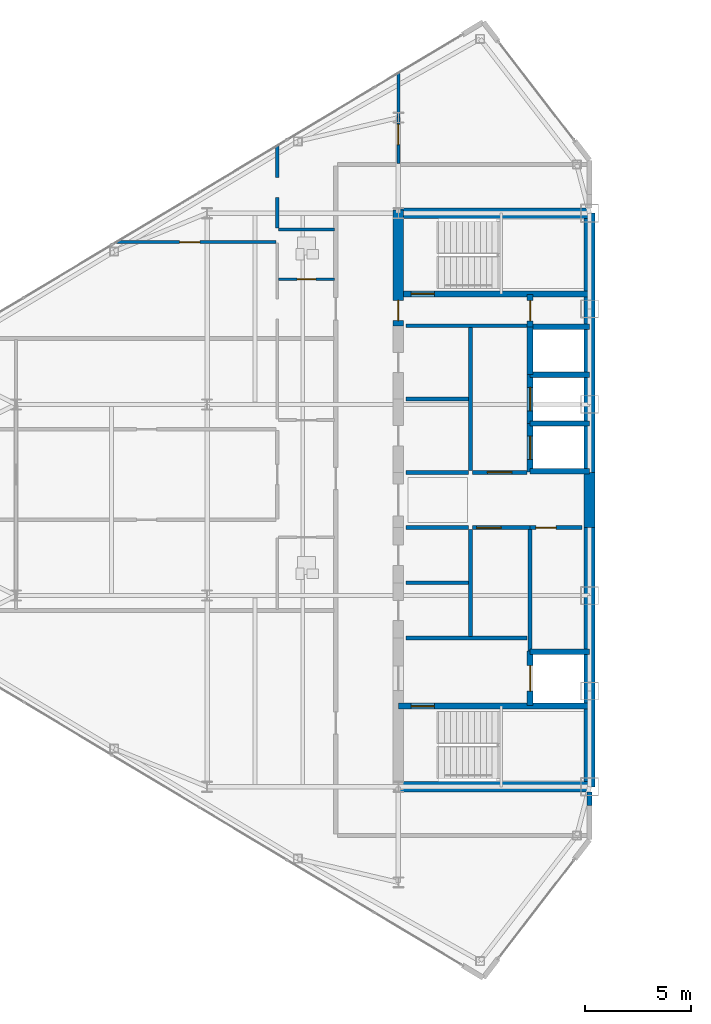
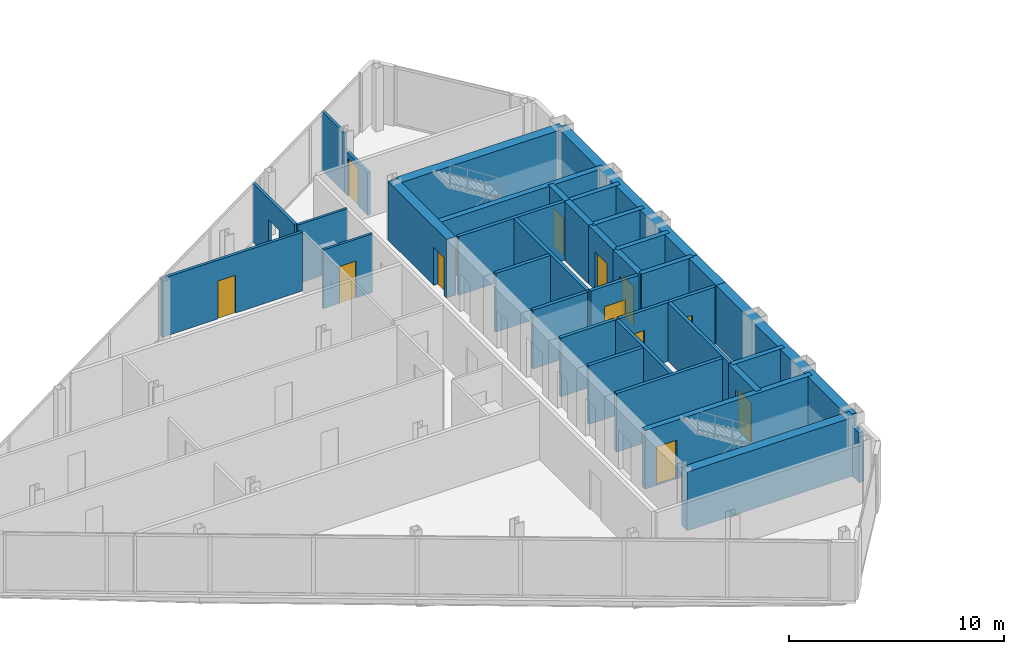
# One storey, part 20 of 26: 37 walls, 13 doors, 14 openings.
"""IFC4 building model written with IfcOpenShell, lengths in metres."""

from ifc_helpers import new_model, si_unit, direction, frame, frame_2d, origin, place, context, subcontext, project, spatial, rectangle, extrude, source, transform, mapped, material, layer, layer_set, type_object, type_shapes, element, fill, save


model = new_model("IFC4")

# Units and contexts
model_context = context("Model", 3, precision=1e-05, world=origin(), true_north=direction((0.0, 1.0)))
body_context = subcontext(model_context, "Body", "Model", "MODEL_VIEW")
ifc_project = project(units=[si_unit("LENGTHUNIT", "METRE"), si_unit("AREAUNIT", "SQUARE_METRE"), si_unit("VOLUMEUNIT", "CUBIC_METRE"), si_unit("PLANEANGLEUNIT", "RADIAN"), si_unit("MASSUNIT", "GRAM", prefix="KILO")], contexts=[model_context])

# Site, building, storey
site_placement = place(None, origin())
site = spatial("IfcSite", under=ifc_project, at=site_placement, CompositionType="ELEMENT")
building_placement = place(site_placement, origin())
building = spatial("IfcBuilding", under=site, at=building_placement, Name="Seokmaru Belvedere", CompositionType="ELEMENT")
storey_placement = place(building_placement, frame((0.0, 0.0, 221.10009765625)))
storey = spatial("IfcBuildingStorey", under=building, at=storey_placement, Name="L59", CompositionType="ELEMENT", Elevation=221.10009765625)

# Wall, opening, door
ifc_material_1 = material(Name="Fire-Rated Gypsum Shaftwall")
ifc_layer_1 = layer(ifc_material_1, 0.14990234375)
ifc_layer_set_1 = layer_set([ifc_layer_1], Name="Fire-Rated Gypsum Shaftwall")
wall_type_1 = type_object("IfcWallType", Name="Apartment Fire-Acoustic Room Partition 150", PredefinedType="PARTITIONING", material=ifc_layer_set_1)
wall_1_placement = place(storey_placement, frame((-49.802001953125, 12.139892578125, 0.0), z_axis=(0.0, 0.0, 1.0), x_axis=(1.0, 0.0, 0.0)))
wall_1 = element("IfcWall", 1, at=wall_1_placement, inside=storey, type_object=wall_type_1, Name="L59 Interior Partition 016", PredefinedType="PARTITIONING", context=body_context, shape_type="SweptSolid", body=[
    extrude(rectangle(XDim=7.552001953125, YDim=0.14990234375, at=frame_2d((3.77587890625, 0.0))), origin(), (0.0, 0.0, 1.0), 3.33984375),
])
opening_1_placement = place(wall_1_placement, frame((3.001953125, 0.0, 0.0)))
opening_1 = element("IfcOpeningElement", 2, at=opening_1_placement, cuts=wall_1, Name="Opening D05", PredefinedType="OPENING", context=body_context, shape_type="SweptSolid", body=[
    extrude(rectangle(XDim=0.949951171875, YDim=2.14990234375, at=frame_2d((0.47509765625, 1.074951171875))), frame((0.0, 0.0849609375, 0.0), z_axis=(0.0, -1.0, 0.0), x_axis=(1.0, 0.0, 0.0)), (0.0, 0.0, 1.0), 0.169921875),
])
ifc_material_2 = material(Name="Engineered White Oak Timber", Category="wood")
door_type_1 = type_object("IfcDoorType", Name="Apartment Interior Fire-Rated Oak Door 950x2150", OperationType="NOTDEFINED", PredefinedType="DOOR", material=ifc_material_2)
shared_shape_1 = source(origin(), body_context, "Body", "SweptSolid", [
    extrude(rectangle(XDim=0.949951171875, YDim=2.14990234375, at=frame_2d((0.47509765625, 1.074951171875))), frame((0.0, 0.02490234375, 0.0), z_axis=(0.0, -1.0, 0.0), x_axis=(1.0, 0.0, 0.0)), (0.0, 0.0, 1.0), 0.050048828125),
])
type_shapes(door_type_1, [shared_shape_1])
door_1_placement = place(opening_1_placement, origin())
door_1 = element("IfcDoor", 3, at=door_1_placement, inside=storey, type_object=door_type_1, Name="L59 Interior Door 014", OperationType="SINGLE_SWING_RIGHT", OverallHeight=2.14990234375, OverallWidth=0.949951171875, PredefinedType="DOOR", context=body_context, shape_type="MappedRepresentation", body=[
    mapped(shared_shape_1, transform((0.0, 0.0, 0.0), scale=1.0)),
])
fill(opening_1, door_1)

# Wall, opening
wall_2_placement = place(storey_placement, frame((-42.199951171875, 12.794921875, 0.0), z_axis=(0.0, 0.0, 1.0), x_axis=(0.0, 1.0, 0.0)))
wall_2 = element("IfcWall", 4, at=wall_2_placement, inside=storey, type_object=wall_type_1, Name="L59 Interior Partition 024", PredefinedType="PARTITIONING", context=body_context, shape_type="SweptSolid", body=[
    extrude(rectangle(XDim=3.920166015625, YDim=0.14990234375, at=frame_2d((1.9599609375, 0.0))), origin(), (0.0, 0.0, 1.0), 3.33984375),
])
opening_2_placement = place(wall_2_placement, frame((1.4423828125, 0.0, 0.0)))
element("IfcOpeningElement", 5, at=opening_2_placement, cuts=wall_2, Name="L59 Cased Opening 015", PredefinedType="OPENING", context=body_context, shape_type="SweptSolid", body=[
    extrude(rectangle(XDim=0.949951171875, YDim=2.14990234375, at=frame_2d((0.47509765625, 1.074951171875))), frame((0.0, 0.0849609375, 0.0), z_axis=(0.0, -1.0, 0.0), x_axis=(1.0, 0.0, 0.0)), (0.0, 0.0, 1.0), 0.169921875),
])

# Wall, opening, door
wall_3_placement = place(storey_placement, frame((-36.5, 15.85009765625, 0.0), z_axis=(0.0, 0.0, 1.0), x_axis=(0.0, 1.0, 0.0)))
wall_3 = element("IfcWall", 6, at=wall_3_placement, inside=storey, type_object=wall_type_1, Name="L59 Interior Partition 026", PredefinedType="PARTITIONING", context=body_context, shape_type="SweptSolid", body=[
    extrude(rectangle(XDim=2.169921875, YDim=0.14990234375, at=frame_2d((1.0849609375, 0.0))), origin(), (0.0, 0.0, 1.0), 2.43994140625),
])
opening_3_placement = place(wall_3_placement, frame((0.8779296875, 0.0, 0.0)))
opening_3 = element("IfcOpeningElement", 7, at=opening_3_placement, cuts=wall_3, Name="Opening D05", PredefinedType="OPENING", context=body_context, shape_type="SweptSolid", body=[
    extrude(rectangle(XDim=0.949951171875, YDim=2.14990234375, at=frame_2d((0.47509765625, 1.074951171875))), frame((0.0, 0.0849609375, 0.0), z_axis=(0.0, -1.0, 0.0), x_axis=(1.0, 0.0, 0.0)), (0.0, 0.0, 1.0), 0.169921875),
])
door_2_placement = place(opening_3_placement, origin())
door_2 = element("IfcDoor", 8, at=door_2_placement, inside=storey, type_object=door_type_1, Name="L59 Interior Door 016", OperationType="SINGLE_SWING_RIGHT", OverallHeight=2.14990234375, OverallWidth=0.949951171875, PredefinedType="DOOR", context=body_context, shape_type="MappedRepresentation", body=[
    mapped(shared_shape_1, transform((0.0, 0.0, 0.0), scale=1.0)),
])
fill(opening_3, door_2)

# Walls
wall_4_placement = place(storey_placement, frame((-36.5, 18.02001953125, 0.0), z_axis=(0.0, 0.0, 1.0), x_axis=(0.0, 1.0, 0.0)))
element("IfcWall", 9, at=wall_4_placement, inside=storey, type_object=wall_type_1, Name="L59 Interior Partition 026 Part 2", PredefinedType="PARTITIONING", context=body_context, shape_type="SweptSolid", body=[
    extrude(rectangle(XDim=2.114990234375, YDim=0.14990234375, at=frame_2d((1.0576171875, 0.0))), origin(), (0.0, 0.0, 1.0), 3.33984375),
])
ifc_layer_2 = layer(ifc_material_1, 0.179931640625)
ifc_layer_set_2 = layer_set([ifc_layer_2], Name="Fire-Rated Gypsum Shaftwall")
wall_type_2 = type_object("IfcWallType", Name="Core Service Fire Partition 180", PredefinedType="PARTITIONING", material=ifc_layer_set_2)
for number, where, z_axis, x_axis, name in (
    (10, (-36.14990234375, -6.5, 0.0), (0.0, 0.0, 1.0), (1.0, 0.0, 0.0), "L59 West Firefighting Lobby Partition"),
    (11, (-36.14990234375, 8.199951171875, 0.0), (0.0, 0.0, 1.0), (1.0, 0.0, 0.0), "L59 West Smokeproof Vestibule Partition"),
):
    element("IfcWall", number, at=place(storey_placement, frame(where, z_axis=z_axis, x_axis=x_axis)), inside=storey, type_object=wall_type_2, Name=name, PredefinedType="PARTITIONING", context=body_context, shape_type="SweptSolid", body=[
        extrude(rectangle(XDim=5.699951171875, YDim=0.179931640625, at=frame_2d((2.85009765625, 0.0))), origin(), (0.0, 0.0, 1.0), 3.33984375),
    ])
wall_5_placement = place(storey_placement, frame((-33.10009765625, -6.419921875, 0.0), z_axis=(0.0, 0.0, 1.0), x_axis=(0.0, 1.0, 0.0)))
element("IfcWall", 12, at=wall_5_placement, inside=storey, type_object=wall_type_2, Name="L59 West South Core Service Back Wall", PredefinedType="PARTITIONING", context=body_context, shape_type="SweptSolid", body=[
    extrude(rectangle(XDim=5.0400390625, YDim=0.179931640625, at=frame_2d((2.52001953125, 0.0))), origin(), (0.0, 0.0, 1.0), 3.33984375),
])
wall_6_placement = place(storey_placement, frame((-33.10009765625, 1.3798828125, 0.0), z_axis=(0.0, 0.0, 1.0), x_axis=(0.0, 1.0, 0.0)))
element("IfcWall", 13, at=wall_6_placement, inside=storey, type_object=wall_type_2, Name="L59 West North Core Service Back Wall", PredefinedType="PARTITIONING", context=body_context, shape_type="SweptSolid", body=[
    extrude(rectangle(XDim=6.740234375, YDim=0.179931640625, at=frame_2d((3.3701171875, 0.0))), origin(), (0.0, 0.0, 1.0), 3.33984375),
])

# Wall, opening, door
wall_7_placement = place(storey_placement, frame((-30.300048828125, -1.300048828125, 0.0), z_axis=(0.0, 0.0, 1.0), x_axis=(1.0, 0.0, 0.0)))
wall_7 = element("IfcWall", 14, at=wall_7_placement, inside=storey, type_object=wall_type_2, Name="L59 West South Parcel Vault Foyer Wall", PredefinedType="PARTITIONING", context=body_context, shape_type="SweptSolid", body=[
    extrude(rectangle(XDim=2.449951171875, YDim=0.179931640625, at=frame_2d((1.22509765625, 0.0))), origin(), (0.0, 0.0, 1.0), 3.33984375),
])
opening_4_placement = place(wall_7_placement, frame((0.27490234375, 0.0, 0.0)))
opening_4 = element("IfcOpeningElement", 15, at=opening_4_placement, cuts=wall_7, Name="Opening D04", PredefinedType="OPENING", context=body_context, shape_type="SweptSolid", body=[
    extrude(rectangle(XDim=0.949951171875, YDim=2.14990234375, at=frame_2d((0.47509765625, 1.074951171875))), frame((0.0, 0.10009765625, 0.0), z_axis=(0.0, -1.0, 0.0), x_axis=(1.0, 0.0, 0.0)), (0.0, 0.0, 1.0), 0.199951171875),
])
ifc_material_3 = material(Name="Fire-Rated Steel Leaf", Category="steel")
door_type_2 = type_object("IfcDoorType", Name="Core Service Room Fire Door 950x2150", OperationType="NOTDEFINED", PredefinedType="DOOR", material=ifc_material_3)
shared_shape_2 = source(origin(), body_context, "Body", "SweptSolid", [
    extrude(rectangle(XDim=0.949951171875, YDim=2.14990234375, at=frame_2d((0.47509765625, 1.074951171875))), frame((0.0, 0.02490234375, 0.0), z_axis=(0.0, -1.0, 0.0), x_axis=(1.0, 0.0, 0.0)), (0.0, 0.0, 1.0), 0.050048828125),
])
type_shapes(door_type_2, [shared_shape_2])
door_3_placement = place(opening_4_placement, origin())
door_3 = element("IfcDoor", 16, at=door_3_placement, inside=storey, type_object=door_type_2, Name="L59 West South Parcel Vault Door", OperationType="SINGLE_SWING_LEFT", OverallHeight=2.14990234375, OverallWidth=0.949951171875, PredefinedType="DOOR", context=body_context, shape_type="MappedRepresentation", body=[
    mapped(shared_shape_2, transform((0.0, 0.0, 0.0), scale=1.0)),
])
fill(opening_4, door_3)

wall_8_placement = place(storey_placement, frame((-33.02001953125, -1.300048828125, 0.0), z_axis=(0.0, 0.0, 1.0), x_axis=(1.0, 0.0, 0.0)))
wall_8 = element("IfcWall", 17, at=wall_8_placement, inside=storey, type_object=wall_type_2, Name="L59 West South Wine Cellar Foyer Wall", PredefinedType="PARTITIONING", context=body_context, shape_type="SweptSolid", body=[
    extrude(rectangle(XDim=2.719970703125, YDim=0.179931640625, at=frame_2d((1.35986328125, 0.0))), origin(), (0.0, 0.0, 1.0), 3.33984375),
])
opening_5_placement = place(wall_8_placement, frame((0.2099609375, 0.0, 0.0)))
opening_5 = element("IfcOpeningElement", 18, at=opening_5_placement, cuts=wall_8, Name="Opening D02", PredefinedType="OPENING", context=body_context, shape_type="SweptSolid", body=[
    extrude(rectangle(XDim=1.14990234375, YDim=2.199951171875, at=frame_2d((0.574951171875, 1.10009765625))), frame((0.0, 0.10009765625, 0.0), z_axis=(0.0, -1.0, 0.0), x_axis=(1.0, 0.0, 0.0)), (0.0, 0.0, 1.0), 0.199951171875),
])
door_type_3 = type_object("IfcDoorType", Name="Lobby and Vestibule Fire Door 1150x2200", OperationType="NOTDEFINED", PredefinedType="DOOR", material=ifc_material_3)
shared_shape_3 = source(origin(), body_context, "Body", "SweptSolid", [
    extrude(rectangle(XDim=1.14990234375, YDim=2.199951171875, at=frame_2d((0.574951171875, 1.10009765625))), frame((0.0, 0.02490234375, 0.0), z_axis=(0.0, -1.0, 0.0), x_axis=(1.0, 0.0, 0.0)), (0.0, 0.0, 1.0), 0.050048828125),
])
type_shapes(door_type_3, [shared_shape_3])
door_4_placement = place(opening_5_placement, origin())
door_4 = element("IfcDoor", 19, at=door_4_placement, inside=storey, type_object=door_type_3, Name="L59 West South Core Foyer Door", OperationType="SINGLE_SWING_LEFT", OverallHeight=2.199951171875, OverallWidth=1.14990234375, PredefinedType="DOOR", context=body_context, shape_type="MappedRepresentation", body=[
    mapped(shared_shape_3, transform((0.0, 0.0, 0.0), scale=1.0)),
])
fill(opening_5, door_4)

# Wall
wall_9_placement = place(storey_placement, frame((-30.300048828125, -7.1201171875, 0.0), z_axis=(0.0, 0.0, 1.0), x_axis=(0.0, 1.0, 0.0)))
element("IfcWall", 20, at=wall_9_placement, inside=storey, type_object=wall_type_2, Name="L59 West Freed Shaft Vault Partition", PredefinedType="PARTITIONING", context=body_context, shape_type="SweptSolid", body=[
    extrude(rectangle(XDim=5.740234375, YDim=0.179931640625, at=frame_2d((2.8701171875, 0.0))), origin(), (0.0, 0.0, 1.0), 3.33984375),
])

# Wall, opening, door
wall_10_placement = place(storey_placement, frame((-33.02001953125, 1.300048828125, 0.0), z_axis=(0.0, 0.0, 1.0), x_axis=(1.0, 0.0, 0.0)))
wall_10 = element("IfcWall", 21, at=wall_10_placement, inside=storey, type_object=wall_type_2, Name="L59 West North Lift Lobby Foyer Wall", PredefinedType="PARTITIONING", context=body_context, shape_type="SweptSolid", body=[
    extrude(rectangle(XDim=2.570068359375, YDim=0.179931640625, at=frame_2d((1.28515625, 0.0))), origin(), (0.0, 0.0, 1.0), 3.33984375),
])
opening_6_placement = place(wall_10_placement, frame((0.7099609375, 0.0, 0.0)))
opening_6 = element("IfcOpeningElement", 22, at=opening_6_placement, cuts=wall_10, Name="Opening D02", PredefinedType="OPENING", context=body_context, shape_type="SweptSolid", body=[
    extrude(rectangle(XDim=1.14990234375, YDim=2.199951171875, at=frame_2d((0.574951171875, 1.10009765625))), frame((0.0, 0.10009765625, 0.0), z_axis=(0.0, -1.0, 0.0), x_axis=(1.0, 0.0, 0.0)), (0.0, 0.0, 1.0), 0.199951171875),
])
door_5_placement = place(opening_6_placement, origin())
door_5 = element("IfcDoor", 23, at=door_5_placement, inside=storey, type_object=door_type_3, Name="L59 West North Lift Lobby Door", OperationType="SINGLE_SWING_RIGHT", OverallHeight=2.199951171875, OverallWidth=1.14990234375, PredefinedType="DOOR", context=body_context, shape_type="MappedRepresentation", body=[
    mapped(shared_shape_3, transform((0.0, 0.0, 0.0), scale=1.0)),
])
fill(opening_6, door_5)

# Walls
for number, where, z_axis, x_axis, name in (
    (24, (-36.14990234375, -1.300048828125, 0.0), (0.0, 0.0, 1.0), (1.0, 0.0, 0.0), "L59 West Foyer Side Wall S"),
    (25, (-36.14990234375, 1.300048828125, 0.0), (0.0, 0.0, 1.0), (1.0, 0.0, 0.0), "L59 West Foyer Side Wall N"),
    (26, (-36.14990234375, -3.89990234375, 0.0), (0.0, 0.0, 1.0), (1.0, 0.0, 0.0), "L59 West Core Service Partition 1"),
    (27, (-36.14990234375, 4.75, 0.0), (0.0, 0.0, 1.0), (1.0, 0.0, 0.0), "L59 West Core Service Partition 2"),
):
    element("IfcWall", number, at=place(storey_placement, frame(where, z_axis=z_axis, x_axis=x_axis)), inside=storey, type_object=wall_type_2, Name=name, PredefinedType="PARTITIONING", context=body_context, shape_type="SweptSolid", body=[
        extrude(rectangle(XDim=2.949951171875, YDim=0.179931640625, at=frame_2d((1.47509765625, 0.0))), origin(), (0.0, 0.0, 1.0), 3.33984375),
    ])
ifc_material_4 = material(Name="Concrete C50 (50 MPa)", Category="concrete")
ifc_layer_3 = layer(ifc_material_4, 0.25)
ifc_layer_set_3 = layer_set([ifc_layer_3], Name="Concrete C50 (50 MPa)")
wall_type_3 = type_object("IfcWallType", Name="Hoistway Transverse Concrete Divider Wall 250", PredefinedType="SHEAR", material=ifc_layer_set_3)
for number, where, z_axis, x_axis, name in (
    (28, (-30.300048828125, -7.14990234375, 0.0), (0.0, 0.0, 1.0), (1.0, 0.0, 0.0), "L59 West Hoistway Divider Core Wall 1"),
    (29, (-30.300048828125, 1.35009765625, 0.0), (0.0, 0.0, 1.0), (1.0, 0.0, 0.0), "L59 West Hoistway Divider Core Wall 2"),
    (30, (-30.300048828125, 3.60009765625, 0.0), (0.0, 0.0, 1.0), (1.0, 0.0, 0.0), "L59 West Hoistway Divider Core Wall 3"),
    (31, (-30.300048828125, 5.89990234375, 0.0), (0.0, 0.0, 1.0), (1.0, 0.0, 0.0), "L59 West Hoistway Divider Core Wall 4"),
    (32, (-30.300048828125, 8.14990234375, 0.0), (0.0, 0.0, 1.0), (1.0, 0.0, 0.0), "L59 West Hoistway Divider Core Wall 5"),
):
    element("IfcWall", number, at=place(storey_placement, frame(where, z_axis=z_axis, x_axis=x_axis)), inside=storey, type_object=wall_type_3, Name=name, PredefinedType="SHEAR", context=body_context, shape_type="SweptSolid", body=[
        extrude(rectangle(XDim=2.800048828125, YDim=0.25, at=frame_2d((1.39990234375, 0.0))), origin(), (0.0, 0.0, 1.0), 3.33984375),
    ])

# Wall, opening, door
ifc_layer_4 = layer(ifc_material_4, 0.300048828125)
ifc_layer_set_4 = layer_set([ifc_layer_4], Name="Concrete C50 (50 MPa)")
wall_type_4 = type_object("IfcWallType", Name="Internal Core Stair and Hoistway Wall 300", PredefinedType="SHEAR", material=ifc_layer_set_4)
wall_11_placement = place(storey_placement, frame((-36.5, -9.699951171875, 0.0), z_axis=(0.0, 0.0, 1.0), x_axis=(1.0, 0.0, 0.0)))
wall_11 = element("IfcWall", 33, at=wall_11_placement, inside=storey, type_object=wall_type_4, Name="L59 West Stair ST-1 Enclosure Wall", PredefinedType="SHEAR", context=body_context, shape_type="SweptSolid", body=[
    extrude(rectangle(XDim=9.0, YDim=0.300048828125, at=frame_2d((4.5, 0.0))), origin(), (0.0, 0.0, 1.0), 3.33984375),
])
opening_7_placement = place(wall_11_placement, frame((0.60009765625, 0.0, 0.0)))
opening_7 = element("IfcOpeningElement", 34, at=opening_7_placement, cuts=wall_11, Name="Opening D01", PredefinedType="OPENING", context=body_context, shape_type="SweptSolid", body=[
    extrude(rectangle(XDim=1.10009765625, YDim=2.199951171875, at=frame_2d((0.550048828125, 1.10009765625))), frame((0.0, 0.16015625, 0.0), z_axis=(0.0, -1.0, 0.0), x_axis=(1.0, 0.0, 0.0)), (0.0, 0.0, 1.0), 0.320068359375),
])
door_type_4 = type_object("IfcDoorType", Name="Special Escape Stair Smokeproof Fire Door 1100x2200", OperationType="NOTDEFINED", PredefinedType="DOOR", material=ifc_material_3)
shared_shape_4 = source(origin(), body_context, "Body", "SweptSolid", [
    extrude(rectangle(XDim=1.10009765625, YDim=2.199951171875, at=frame_2d((0.550048828125, 1.10009765625))), frame((0.0, 0.02490234375, 0.0), z_axis=(0.0, -1.0, 0.0), x_axis=(1.0, 0.0, 0.0)), (0.0, 0.0, 1.0), 0.050048828125),
])
type_shapes(door_type_4, [shared_shape_4])
door_6_placement = place(opening_7_placement, frame((1.10009765625, 0.0, 0.0), z_axis=(0.0, 0.0, 1.0), x_axis=(-1.0, 0.0, 0.0)))
door_6 = element("IfcDoor", 35, at=door_6_placement, inside=storey, type_object=door_type_4, Name="L59 West Special Escape Stair ST-1 Door", OperationType="SINGLE_SWING_LEFT", OverallHeight=2.199951171875, OverallWidth=1.10009765625, PredefinedType="DOOR", context=body_context, shape_type="MappedRepresentation", body=[
    mapped(shared_shape_4, transform((0.0, 0.0, 0.0), scale=1.0)),
])
fill(opening_7, door_6)

wall_12_placement = place(storey_placement, frame((-36.5, 9.699951171875, 0.0), z_axis=(0.0, 0.0, 1.0), x_axis=(1.0, 0.0, 0.0)))
wall_12 = element("IfcWall", 36, at=wall_12_placement, inside=storey, type_object=wall_type_4, Name="L59 West Stair ST-2 Enclosure Wall", PredefinedType="SHEAR", context=body_context, shape_type="SweptSolid", body=[
    extrude(rectangle(XDim=9.0, YDim=0.300048828125, at=frame_2d((4.5, 0.0))), origin(), (0.0, 0.0, 1.0), 3.33984375),
])
opening_8_placement = place(wall_12_placement, frame((0.60009765625, 0.0, 0.0)))
opening_8 = element("IfcOpeningElement", 37, at=opening_8_placement, cuts=wall_12, Name="Opening D01", PredefinedType="OPENING", context=body_context, shape_type="SweptSolid", body=[
    extrude(rectangle(XDim=1.10009765625, YDim=2.199951171875, at=frame_2d((0.550048828125, 1.10009765625))), frame((0.0, 0.16015625, 0.0), z_axis=(0.0, -1.0, 0.0), x_axis=(1.0, 0.0, 0.0)), (0.0, 0.0, 1.0), 0.320068359375),
])
door_7_placement = place(opening_8_placement, origin())
door_7 = element("IfcDoor", 38, at=door_7_placement, inside=storey, type_object=door_type_4, Name="L59 West Special Escape Stair ST-2 Door", OperationType="SINGLE_SWING_RIGHT", OverallHeight=2.199951171875, OverallWidth=1.10009765625, PredefinedType="DOOR", context=body_context, shape_type="MappedRepresentation", body=[
    mapped(shared_shape_4, transform((0.0, 0.0, 0.0), scale=1.0)),
])
fill(opening_8, door_7)

wall_13_placement = place(storey_placement, frame((-30.300048828125, -9.679931640625, 0.0), z_axis=(0.0, 0.0, 1.0), x_axis=(0.0, 1.0, 0.0)))
wall_13 = element("IfcWall", 39, at=wall_13_placement, inside=storey, type_object=wall_type_4, Name="L59 West Firefighting Lift Shaft Front Wall", PredefinedType="SHEAR", context=body_context, shape_type="SweptSolid", body=[
    extrude(rectangle(XDim=2.559814453125, YDim=0.300048828125, at=frame_2d((1.27978515625, 0.0))), origin(), (0.0, 0.0, 1.0), 3.33984375),
])
opening_9_placement = place(wall_13_placement, frame((0.679931640625, 0.0, 0.0)))
opening_9 = element("IfcOpeningElement", 40, at=opening_9_placement, cuts=wall_13, Name="Opening LD2", PredefinedType="OPENING", context=body_context, shape_type="SweptSolid", body=[
    extrude(rectangle(XDim=1.199951171875, YDim=2.25, at=frame_2d((0.60009765625, 1.125))), frame((0.0, 0.16015625, 0.0), z_axis=(0.0, -1.0, 0.0), x_axis=(1.0, 0.0, 0.0)), (0.0, 0.0, 1.0), 0.320068359375),
])
ifc_material_5 = material(Name="Stainless Steel 316", Category="steel")
door_type_5 = type_object("IfcDoorType", Name="Firefighting Lift Sliding Landing Door 1200x2250", OperationType="DOUBLE_DOOR_SLIDING", PredefinedType="DOOR", material=ifc_material_5)
shared_shape_5 = source(origin(), body_context, "Body", "SweptSolid", [
    extrude(rectangle(XDim=1.199951171875, YDim=2.25, at=frame_2d((0.60009765625, 1.125))), frame((0.0, 0.02490234375, 0.0), z_axis=(0.0, -1.0, 0.0), x_axis=(1.0, 0.0, 0.0)), (0.0, 0.0, 1.0), 0.050048828125),
])
type_shapes(door_type_5, [shared_shape_5])
door_8_placement = place(opening_9_placement, origin())
door_8 = element("IfcDoor", 41, at=door_8_placement, inside=storey, type_object=door_type_5, Name="L59 West Firefighting Lift Landing Door", OperationType="DOUBLE_DOOR_SLIDING", OverallHeight=2.25, OverallWidth=1.199951171875, PredefinedType="DOOR", context=body_context, shape_type="MappedRepresentation", body=[
    mapped(shared_shape_5, transform((0.0, 0.0, 0.0), scale=1.0)),
])
fill(opening_9, door_8)

wall_14_placement = place(storey_placement, frame((-30.300048828125, 1.320068359375, 0.0), z_axis=(0.0, 0.0, 1.0), x_axis=(0.0, 1.0, 0.0)))
wall_14 = element("IfcWall", 42, at=wall_14_placement, inside=storey, type_object=wall_type_4, Name="L59 West North Hoistway Wall PH1", PredefinedType="SHEAR", context=body_context, shape_type="SweptSolid", body=[
    extrude(rectangle(XDim=2.280029296875, YDim=0.300048828125, at=frame_2d((1.14013671875, 0.0))), origin(), (0.0, 0.0, 1.0), 3.33984375),
])
opening_10_placement = place(wall_14_placement, frame((0.590087890625, 0.0, 0.0)))
opening_10 = element("IfcOpeningElement", 43, at=opening_10_placement, cuts=wall_14, Name="Opening LD1", PredefinedType="OPENING", context=body_context, shape_type="SweptSolid", body=[
    extrude(rectangle(XDim=1.10009765625, YDim=2.199951171875, at=frame_2d((0.550048828125, 1.10009765625))), frame((0.0, 0.16015625, 0.0), z_axis=(0.0, -1.0, 0.0), x_axis=(1.0, 0.0, 0.0)), (0.0, 0.0, 1.0), 0.320068359375),
])
door_type_6 = type_object("IfcDoorType", Name="Passenger Lift Sliding Landing Door 1100x2200", OperationType="DOUBLE_DOOR_SLIDING", PredefinedType="DOOR", material=ifc_material_5)
shared_shape_6 = source(origin(), body_context, "Body", "SweptSolid", [
    extrude(rectangle(XDim=1.10009765625, YDim=2.199951171875, at=frame_2d((0.550048828125, 1.10009765625))), frame((0.0, 0.02490234375, 0.0), z_axis=(0.0, -1.0, 0.0), x_axis=(1.0, 0.0, 0.0)), (0.0, 0.0, 1.0), 0.050048828125),
])
type_shapes(door_type_6, [shared_shape_6])
door_9_placement = place(opening_10_placement, origin())
door_9 = element("IfcDoor", 44, at=door_9_placement, inside=storey, type_object=door_type_6, Name="L59 West High-Rise Lift PH-1 Landing Door", OperationType="DOUBLE_DOOR_SLIDING", OverallHeight=2.199951171875, OverallWidth=1.10009765625, PredefinedType="DOOR", context=body_context, shape_type="MappedRepresentation", body=[
    mapped(shared_shape_6, transform((0.0, 0.0, 0.0), scale=1.0)),
])
fill(opening_10, door_9)

wall_15_placement = place(storey_placement, frame((-30.300048828125, 3.60009765625, 0.0), z_axis=(0.0, 0.0, 1.0), x_axis=(0.0, 1.0, 0.0)))
wall_15 = element("IfcWall", 45, at=wall_15_placement, inside=storey, type_object=wall_type_4, Name="L59 West North Hoistway Wall PH2", PredefinedType="SHEAR", context=body_context, shape_type="SweptSolid", body=[
    extrude(rectangle(XDim=2.2998046875, YDim=0.300048828125, at=frame_2d((1.14990234375, 0.0))), origin(), (0.0, 0.0, 1.0), 3.33984375),
])
opening_11_placement = place(wall_15_placement, frame((0.60009765625, 0.0, 0.0)))
opening_11 = element("IfcOpeningElement", 46, at=opening_11_placement, cuts=wall_15, Name="Opening LD1", PredefinedType="OPENING", context=body_context, shape_type="SweptSolid", body=[
    extrude(rectangle(XDim=1.10009765625, YDim=2.199951171875, at=frame_2d((0.550048828125, 1.10009765625))), frame((0.0, 0.16015625, 0.0), z_axis=(0.0, -1.0, 0.0), x_axis=(1.0, 0.0, 0.0)), (0.0, 0.0, 1.0), 0.320068359375),
])
door_10_placement = place(opening_11_placement, origin())
door_10 = element("IfcDoor", 47, at=door_10_placement, inside=storey, type_object=door_type_6, Name="L59 West High-Rise Lift PH-2 Landing Door", OperationType="DOUBLE_DOOR_SLIDING", OverallHeight=2.199951171875, OverallWidth=1.10009765625, PredefinedType="DOOR", context=body_context, shape_type="MappedRepresentation", body=[
    mapped(shared_shape_6, transform((0.0, 0.0, 0.0), scale=1.0)),
])
fill(opening_11, door_10)

# Wall
wall_16_placement = place(storey_placement, frame((-30.300048828125, 5.89990234375, 0.0), z_axis=(0.0, 0.0, 1.0), x_axis=(0.0, 1.0, 0.0)))
element("IfcWall", 48, at=wall_16_placement, inside=storey, type_object=wall_type_4, Name="L59 West North Hoistway Wall OBS", PredefinedType="SHEAR", context=body_context, shape_type="SweptSolid", body=[
    extrude(rectangle(XDim=2.25, YDim=0.300048828125, at=frame_2d((1.125, 0.0))), origin(), (0.0, 0.0, 1.0), 3.33984375),
])

# Wall, opening, door
wall_17_placement = place(storey_placement, frame((-30.300048828125, 8.14990234375, 0.0), z_axis=(0.0, 0.0, 1.0), x_axis=(0.0, 1.0, 0.0)))
wall_17 = element("IfcWall", 49, at=wall_17_placement, inside=storey, type_object=wall_type_4, Name="L59 West Electrical Riser Front Wall", PredefinedType="SHEAR", context=body_context, shape_type="SweptSolid", body=[
    extrude(rectangle(XDim=1.530029296875, YDim=0.300048828125, at=frame_2d((0.76513671875, 0.0))), origin(), (0.0, 0.0, 1.0), 3.33984375),
])
opening_12_placement = place(wall_17_placement, frame((0.284912109375, 0.0, 0.0)))
opening_12 = element("IfcOpeningElement", 50, at=opening_12_placement, cuts=wall_17, Name="Opening D04", PredefinedType="OPENING", context=body_context, shape_type="SweptSolid", body=[
    extrude(rectangle(XDim=0.949951171875, YDim=2.14990234375, at=frame_2d((0.47509765625, 1.074951171875))), frame((0.0, 0.16015625, 0.0), z_axis=(0.0, -1.0, 0.0), x_axis=(1.0, 0.0, 0.0)), (0.0, 0.0, 1.0), 0.320068359375),
])
door_11_placement = place(opening_12_placement, origin())
door_11 = element("IfcDoor", 51, at=door_11_placement, inside=storey, type_object=door_type_2, Name="L59 West Electrical Riser Access Door", OperationType="SINGLE_SWING_LEFT", OverallHeight=2.14990234375, OverallWidth=0.949951171875, PredefinedType="DOOR", context=body_context, shape_type="MappedRepresentation", body=[
    mapped(shared_shape_2, transform((0.0, 0.0, 0.0), scale=1.0)),
])
fill(opening_12, door_11)

ifc_layer_5 = layer(ifc_material_1, 0.1298828125)
ifc_layer_set_5 = layer_set([ifc_layer_5], Name="Fire-Rated Gypsum Shaftwall")
wall_type_5 = type_object("IfcWallType", Name="Moisture-Resistant Fire-Rated Bathroom Partition 130", PredefinedType="PARTITIONING", material=ifc_layer_set_5)
wall_18_placement = place(storey_placement, frame((-42.14990234375, 10.389892578125, 0.0), z_axis=(0.0, 0.0, 1.0), x_axis=(1.0, 0.0, 0.0)))
wall_18 = element("IfcWall", 52, at=wall_18_placement, inside=storey, type_object=wall_type_5, Name="L59 Interior Partition 015", PredefinedType="PARTITIONING", context=body_context, shape_type="SweptSolid", body=[
    extrude(rectangle(XDim=2.64990234375, YDim=0.1298828125, at=frame_2d((1.324951171875, 0.0))), origin(), (0.0, 0.0, 1.0), 3.33984375),
])
opening_13_placement = place(wall_18_placement, frame((0.885009765625, 0.0, 0.0)))
opening_13 = element("IfcOpeningElement", 53, at=opening_13_placement, cuts=wall_18, Name="Opening D06", PredefinedType="OPENING", context=body_context, shape_type="SweptSolid", body=[
    extrude(rectangle(XDim=0.8798828125, YDim=2.10009765625, at=frame_2d((0.43994140625, 1.050048828125))), frame((0.0, 0.074951171875, 0.0), z_axis=(0.0, -1.0, 0.0), x_axis=(1.0, 0.0, 0.0)), (0.0, 0.0, 1.0), 0.14990234375),
])
door_type_7 = type_object("IfcDoorType", Name="Bathroom and Restroom Fire-Rated Door 880x2100", OperationType="NOTDEFINED", PredefinedType="DOOR", material=ifc_material_2)
shared_shape_7 = source(origin(), body_context, "Body", "SweptSolid", [
    extrude(rectangle(XDim=0.8798828125, YDim=2.10009765625, at=frame_2d((0.43994140625, 1.050048828125))), frame((0.0, 0.02490234375, 0.0), z_axis=(0.0, -1.0, 0.0), x_axis=(1.0, 0.0, 0.0)), (0.0, 0.0, 1.0), 0.050048828125),
])
type_shapes(door_type_7, [shared_shape_7])
door_12_placement = place(opening_13_placement, origin())
door_12 = element("IfcDoor", 54, at=door_12_placement, inside=storey, type_object=door_type_7, Name="L59 Interior Door 012", OperationType="SINGLE_SWING_LEFT", OverallHeight=2.10009765625, OverallWidth=0.8798828125, PredefinedType="DOOR", context=body_context, shape_type="MappedRepresentation", body=[
    mapped(shared_shape_7, transform((0.0, 0.0, 0.0), scale=1.0)),
])
fill(opening_13, door_12)

# Walls
wall_19_placement = place(storey_placement, frame((-42.14990234375, 12.739990234375, 0.0), z_axis=(0.0, 0.0, 1.0), x_axis=(1.0, 0.0, 0.0)))
element("IfcWall", 55, at=wall_19_placement, inside=storey, type_object=wall_type_5, Name="L59 Interior Partition 017", PredefinedType="PARTITIONING", context=body_context, shape_type="SweptSolid", body=[
    extrude(rectangle(XDim=2.64990234375, YDim=0.1298828125, at=frame_2d((1.324951171875, 0.0))), origin(), (0.0, 0.0, 1.0), 3.33984375),
])
ifc_material_6 = material(Name="Anodised Bronze Aluminium", Category="aluminium")
ifc_layer_6 = layer(ifc_material_6, 0.239990234375)
ifc_layer_set_6 = layer_set([ifc_layer_6], Name="Anodised Bronze Aluminium")
wall_type_6 = type_object("IfcWallType", Name="Tower Corner Spandrel Closure Wall 240", PredefinedType="SOLIDWALL", material=ifc_layer_set_6)
wall_20_placement = place(storey_placement, frame((-27.5, -14.374755859375, 0.0), z_axis=(0.0, 0.0, 1.0), x_axis=(0.0, 1.0, 0.0)))
element("IfcWall", 56, at=wall_20_placement, inside=storey, type_object=wall_type_6, Name="L59 W Shoulder Closure Wall 1 Part 2", PredefinedType="SOLIDWALL", context=body_context, shape_type="SweptSolid", body=[
    extrude(rectangle(XDim=0.619873046875, YDim=0.239990234375, at=frame_2d((0.31005859375, 0.0))), origin(), (0.0, 0.0, 1.0), 2.83984375),
])
ifc_layer_7 = layer(ifc_material_4, 0.5)
ifc_layer_set_7 = layer_set([ifc_layer_7], Name="Concrete C50 (50 MPa)")
wall_type_7 = type_object("IfcWallType", Name="Upper Tower Reinforced Concrete Core Wall 500", PredefinedType="SHEAR", material=ifc_layer_set_7)
for number, where, z_axis, x_axis, name in (
    (57, (-27.5, -13.5, 0.0), (0.0, 0.0, 1.0), (0.0, 1.0, 0.0), "L59 West Portal Spine Core Wall South"),
    (58, (-27.5, 1.300048828125, 0.0), (0.0, 0.0, 1.0), (0.0, 1.0, 0.0), "L59 West Portal Spine Core Wall North"),
):
    element("IfcWall", number, at=place(storey_placement, frame(where, z_axis=z_axis, x_axis=x_axis)), inside=storey, type_object=wall_type_7, Name=name, PredefinedType="SHEAR", context=body_context, shape_type="SweptSolid", body=[
        extrude(rectangle(XDim=12.199951171875, YDim=0.5, at=frame_2d((6.10009765625, 0.0))), origin(), (0.0, 0.0, 1.0), 3.33984375),
    ])
wall_21_placement = place(storey_placement, frame((-27.5, -1.300048828125, 0.0), z_axis=(0.0, 0.0, 1.0), x_axis=(0.0, 1.0, 0.0)))
element("IfcWall", 59, at=wall_21_placement, inside=storey, type_object=wall_type_7, Name="L59 West Portal Spine Core Wall Center", PredefinedType="SHEAR", context=body_context, shape_type="SweptSolid", body=[
    extrude(rectangle(XDim=2.60009765625, YDim=0.5, at=frame_2d((1.300048828125, 0.0))), origin(), (0.0, 0.0, 1.0), 3.33984375),
])
for number, where, z_axis, x_axis, name in (
    (60, (-36.5, -13.5, 0.0), (0.0, 0.0, 1.0), (1.0, 0.0, 0.0), "L59 West South Core Wall"),
    (61, (-36.5, 13.5, 0.0), (0.0, 0.0, 1.0), (1.0, 0.0, 0.0), "L59 West North Core Wall"),
):
    element("IfcWall", number, at=place(storey_placement, frame(where, z_axis=z_axis, x_axis=x_axis)), inside=storey, type_object=wall_type_7, Name=name, PredefinedType="SHEAR", context=body_context, shape_type="SweptSolid", body=[
        extrude(rectangle(XDim=9.0, YDim=0.5, at=frame_2d((4.5, 0.0))), origin(), (0.0, 0.0, 1.0), 3.33984375),
    ])

# Wall, opening, door
wall_22_placement = place(storey_placement, frame((-36.5, 8.199951171875, 0.0), z_axis=(0.0, 0.0, 1.0), x_axis=(0.0, 1.0, 0.0)))
wall_22 = element("IfcWall", 62, at=wall_22_placement, inside=storey, type_object=wall_type_7, Name="L59 West West Core Wall VST", PredefinedType="SHEAR", context=body_context, shape_type="SweptSolid", body=[
    extrude(rectangle(XDim=5.449951171875, YDim=0.5, at=frame_2d((2.72509765625, 0.0))), origin(), (0.0, 0.0, 1.0), 3.33984375),
])
opening_14_placement = place(wall_22_placement, frame((0.2451171875, 0.0, 0.0)))
opening_14 = element("IfcOpeningElement", 63, at=opening_14_placement, cuts=wall_22, Name="Opening D04", PredefinedType="OPENING", context=body_context, shape_type="SweptSolid", body=[
    extrude(rectangle(XDim=0.949951171875, YDim=2.14990234375, at=frame_2d((0.47509765625, 1.074951171875))), frame((0.0, 0.260009765625, 0.0), z_axis=(0.0, -1.0, 0.0), x_axis=(1.0, 0.0, 0.0)), (0.0, 0.0, 1.0), 0.52001953125),
])
door_13_placement = place(opening_14_placement, frame((0.949951171875, 0.0, 0.0), z_axis=(0.0, 0.0, 1.0), x_axis=(-1.0, 0.0, 0.0)))
door_13 = element("IfcDoor", 64, at=door_13_placement, inside=storey, type_object=door_type_2, Name="L59 West Smokeproof Vestibule Door", OperationType="SINGLE_SWING_RIGHT", OverallHeight=2.14990234375, OverallWidth=0.949951171875, PredefinedType="DOOR", context=body_context, shape_type="MappedRepresentation", body=[
    mapped(shared_shape_2, transform((0.0, 0.0, 0.0), scale=1.0)),
])
fill(opening_14, door_13)

save(model, "model.ifc")
